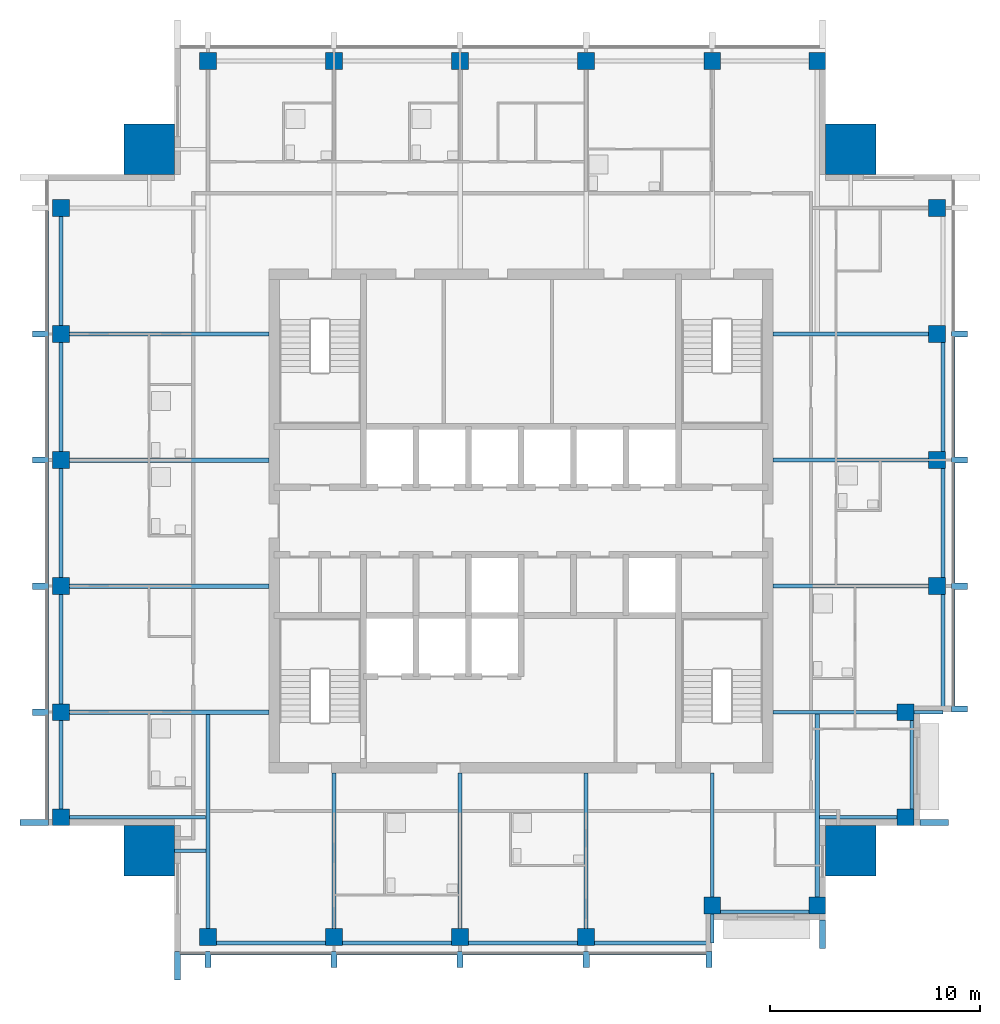
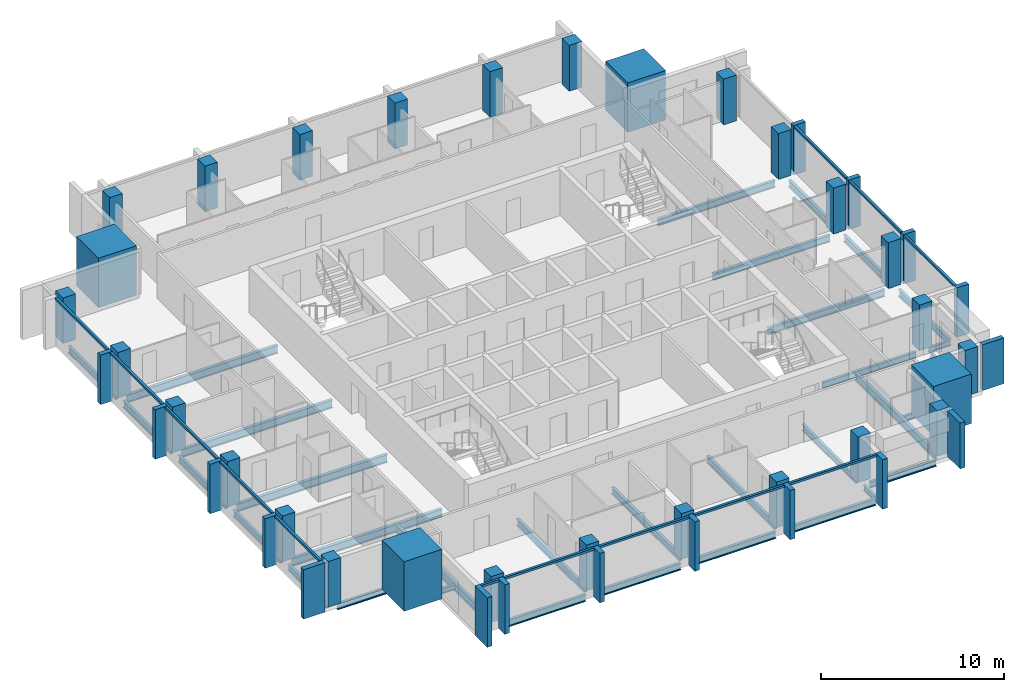
# One storey, part 1 of 9: 33 beams, 30 members, 28 columns, 3 elements without a shape of their own.
"""IFC4 building model written with IfcOpenShell, lengths in metres."""

from ifc_helpers import new_model, si_unit, direction, frame, origin, origin_2d, place, context, subcontext, project, spatial, rectangle, i_section, extrude, material, material_profile, profile_set, type_object, element, aggregate, save


model = new_model("IFC4")

# Units and contexts
model_context = context("Model", 3, precision=1e-05, world=origin(), true_north=direction((0.0, 1.0)))
body_context = subcontext(model_context, "Body", "Model", "MODEL_VIEW")
ifc_project = project(units=[si_unit("LENGTHUNIT", "METRE"), si_unit("AREAUNIT", "SQUARE_METRE"), si_unit("VOLUMEUNIT", "CUBIC_METRE"), si_unit("PLANEANGLEUNIT", "RADIAN"), si_unit("MASSUNIT", "GRAM", prefix="KILO")], contexts=[model_context])

# Site, building, storey
site_placement = place(None, origin())
site = spatial("IfcSite", under=ifc_project, at=site_placement, CompositionType="ELEMENT")
building_placement = place(site_placement, origin())
building = spatial("IfcBuilding", under=site, at=building_placement, Name="Amberfall Residences", CompositionType="ELEMENT")
storey_placement = place(building_placement, frame((0.0, 0.0, 255.39990234375)))
storey = spatial("IfcBuildingStorey", under=building, at=storey_placement, Name="L68", CompositionType="ELEMENT", Elevation=255.39990234375)

# Columns
ifc_material_1 = material(Name="Concrete C50", Category="concrete")
ifc_material_profile_1 = material_profile(ifc_material_1, rectangle(XDim=0.800048828125, YDim=0.800048828125, at=origin_2d()), Name="Column 800 x 800 C50")
ifc_profile_set_1 = profile_set([ifc_material_profile_1], Name="Concrete C50")
column_type_1 = type_object("IfcColumnType", Name="Column 800 x 800 C50", PredefinedType="COLUMN", material=ifc_profile_set_1)
for number, where, z_axis, x_axis, name in (
    (1, (59.60009765625, 25.699951171875, 0.0), (0.0, 0.0, 1.0), (1.0, 0.0, 0.0), "Column C5 L68 S1"),
    (2, (65.60009765625, 25.699951171875, 0.0), (0.0, 0.0, 1.0), (1.0, 0.0, 0.0), "Column C5 L68 S2"),
    (3, (71.60009765625, 25.699951171875, 0.0), (0.0, 0.0, 1.0), (1.0, 0.0, 0.0), "Column C5 L68 S3"),
    (4, (77.60009765625, 25.699951171875, 0.0), (0.0, 0.0, 1.0), (1.0, 0.0, 0.0), "Column C5 L68 S4"),
    (5, (83.60009765625, 27.199951171875, 0.0), (0.0, 0.0, 1.0), (1.0, 0.0, 0.0), "Column C5 L68 S5"),
    (6, (88.60009765625, 27.199951171875, 0.0), (0.0, 0.0, 1.0), (1.0, 0.0, 0.0), "Column C5 L68 S6"),
    (7, (92.800048828125, 31.39990234375, 0.0), (0.0, 0.0, 1.0), (1.0, 0.0, 0.0), "Column C5 L68 E1"),
    (8, (92.800048828125, 36.39990234375, 0.0), (0.0, 0.0, 1.0), (1.0, 0.0, 0.0), "Column C5 L68 E2"),
    (9, (94.300048828125, 42.39990234375, 0.0), (0.0, 0.0, 1.0), (1.0, 0.0, 0.0), "Column C5 L68 E3"),
    (10, (94.300048828125, 48.39990234375, 0.0), (0.0, 0.0, 1.0), (1.0, 0.0, 0.0), "Column C5 L68 E4"),
    (11, (94.300048828125, 54.39990234375, 0.0), (0.0, 0.0, 1.0), (1.0, 0.0, 0.0), "Column C5 L68 E5"),
    (12, (94.300048828125, 60.39990234375, 0.0), (0.0, 0.0, 1.0), (1.0, 0.0, 0.0), "Column C5 L68 E6"),
    (13, (59.60009765625, 67.39990234375, 0.0), (0.0, 0.0, 1.0), (1.0, 0.0, 0.0), "Column C5 L68 N1"),
    (14, (65.60009765625, 67.39990234375, 0.0), (0.0, 0.0, 1.0), (1.0, 0.0, 0.0), "Column C5 L68 N2"),
    (15, (71.60009765625, 67.39990234375, 0.0), (0.0, 0.0, 1.0), (1.0, 0.0, 0.0), "Column C5 L68 N3"),
    (16, (77.60009765625, 67.39990234375, 0.0), (0.0, 0.0, 1.0), (1.0, 0.0, 0.0), "Column C5 L68 N4"),
    (17, (83.60009765625, 67.39990234375, 0.0), (0.0, 0.0, 1.0), (1.0, 0.0, 0.0), "Column C5 L68 N5"),
    (18, (88.60009765625, 67.39990234375, 0.0), (0.0, 0.0, 1.0), (1.0, 0.0, 0.0), "Column C5 L68 N6"),
    (19, (52.60009765625, 31.39990234375, 0.0), (0.0, 0.0, 1.0), (1.0, 0.0, 0.0), "Column C5 L68 W1"),
    (20, (52.60009765625, 36.39990234375, 0.0), (0.0, 0.0, 1.0), (1.0, 0.0, 0.0), "Column C5 L68 W2"),
    (21, (52.60009765625, 42.39990234375, 0.0), (0.0, 0.0, 1.0), (1.0, 0.0, 0.0), "Column C5 L68 W3"),
    (22, (52.60009765625, 48.39990234375, 0.0), (0.0, 0.0, 1.0), (1.0, 0.0, 0.0), "Column C5 L68 W4"),
    (23, (52.60009765625, 54.39990234375, 0.0), (0.0, 0.0, 1.0), (1.0, 0.0, 0.0), "Column C5 L68 W5"),
    (24, (52.60009765625, 60.39990234375, 0.0), (0.0, 0.0, 1.0), (1.0, 0.0, 0.0), "Column C5 L68 W6"),
):
    element("IfcColumn", number, at=place(storey_placement, frame(where, z_axis=z_axis, x_axis=x_axis)), inside=storey, type_object=column_type_1, Name=name, PredefinedType="COLUMN", context=body_context, shape_type="SweptSolid", body=[
        extrude(rectangle(XDim=0.800048828125, YDim=0.800048828125, at=origin_2d()), origin(), (0.0, 0.0, 1.0), 3.050048828125),
    ])
ifc_material_profile_2 = material_profile(ifc_material_1, rectangle(XDim=2.39990234375, YDim=2.39990234375, at=origin_2d()), Name="Mega column 2400 x 2400 C50")
ifc_profile_set_2 = profile_set([ifc_material_profile_2], Name="Concrete C50")
column_type_2 = type_object("IfcColumnType", Name="Mega column 2400 x 2400 C50", PredefinedType="COLUMN", material=ifc_profile_set_2)
for number, where, z_axis, x_axis, name in (
    (25, (56.800048828125, 29.800048828125, 0.0), (0.0, 0.0, 1.0), (1.0, 0.0, 0.0), "Mega column MC11 L68 SW"),
    (26, (90.199951171875, 29.800048828125, 0.0), (0.0, 0.0, 1.0), (1.0, 0.0, 0.0), "Mega column MC11 L68 SE"),
    (27, (90.199951171875, 63.199951171875, 0.0), (0.0, 0.0, 1.0), (1.0, 0.0, 0.0), "Mega column MC11 L68 NE"),
    (28, (56.800048828125, 63.199951171875, 0.0), (0.0, 0.0, 1.0), (1.0, 0.0, 0.0), "Mega column MC11 L68 NW"),
):
    element("IfcColumn", number, at=place(storey_placement, frame(where, z_axis=z_axis, x_axis=x_axis)), inside=storey, type_object=column_type_2, Name=name, PredefinedType="COLUMN", context=body_context, shape_type="SweptSolid", body=[
        extrude(rectangle(XDim=2.39990234375, YDim=2.39990234375, at=origin_2d()), origin(), (0.0, 0.0, 1.0), 3.300048828125),
    ])

# Curtain wall, members
ifc_material_2 = material(Name="Bronze anodised aluminium and glass", Category="aluminium")
curtain_wall_type = type_object("IfcCurtainWallType", Name="Curtain wall CW1 tower unit", PredefinedType="USERDEFINED", material=ifc_material_2)
curtain_wall_1_placement = place(storey_placement, origin())
curtain_wall_1 = element("IfcCurtainWall", 29, at=curtain_wall_1_placement, inside=storey, type_object=curtain_wall_type, Name="Curtain wall L68 S S1", ObjectType="UNITISED CURTAIN WALL", PredefinedType="USERDEFINED")
ifc_material_3 = material(Name="Bronze anodised aluminium", Category="aluminium")
ifc_material_profile_3 = material_profile(ifc_material_3, rectangle(XDim=0.14990234375, YDim=0.14990234375, at=origin_2d()), Name="CW1 transom 150 x 150 bronze")
ifc_profile_set_3 = profile_set([ifc_material_profile_3], Name="Bronze anodised aluminium")
member_type_1 = type_object("IfcMemberType", Name="CW1 transom 150 x 150 bronze", PredefinedType="USERDEFINED", material=ifc_profile_set_3)
member_1_placement = place(storey_placement, frame((58.300048828125, 24.925048828125, 2.97509765625), z_axis=(1.0, 0.0, 0.0), x_axis=(0.0, 1.0, 0.0)))
member_1 = element("IfcMember", 30, at=member_1_placement, type_object=member_type_1, Name="CW1 transom 1.1", ObjectType="TRANSOM", PredefinedType="USERDEFINED", context=body_context, shape_type="SweptSolid", body=[
    extrude(rectangle(XDim=0.14990234375, YDim=0.14990234375, at=origin_2d()), origin(), (0.0, 0.0, 1.0), 1.14990234375),
])
member_2_placement = place(storey_placement, frame((59.75, 24.925048828125, 2.97509765625), z_axis=(1.0, 0.0, 0.0), x_axis=(0.0, 1.0, 0.0)))
member_2 = element("IfcMember", 31, at=member_2_placement, type_object=member_type_1, Name="CW1 transom 2.1", ObjectType="TRANSOM", PredefinedType="USERDEFINED", context=body_context, shape_type="SweptSolid", body=[
    extrude(rectangle(XDim=0.14990234375, YDim=0.14990234375, at=origin_2d()), origin(), (0.0, 0.0, 1.0), 5.699951171875),
])
member_3_placement = place(storey_placement, frame((65.75, 24.925048828125, 2.97509765625), z_axis=(1.0, 0.0, 0.0), x_axis=(0.0, 1.0, 0.0)))
member_3 = element("IfcMember", 32, at=member_3_placement, type_object=member_type_1, Name="CW1 transom 3.1", ObjectType="TRANSOM", PredefinedType="USERDEFINED", context=body_context, shape_type="SweptSolid", body=[
    extrude(rectangle(XDim=0.14990234375, YDim=0.14990234375, at=origin_2d()), origin(), (0.0, 0.0, 1.0), 5.699951171875),
])
member_4_placement = place(storey_placement, frame((71.75, 24.925048828125, 2.97509765625), z_axis=(1.0, 0.0, 0.0), x_axis=(0.0, 1.0, 0.0)))
member_4 = element("IfcMember", 33, at=member_4_placement, type_object=member_type_1, Name="CW1 transom 4.1", ObjectType="TRANSOM", PredefinedType="USERDEFINED", context=body_context, shape_type="SweptSolid", body=[
    extrude(rectangle(XDim=0.14990234375, YDim=0.14990234375, at=origin_2d()), origin(), (0.0, 0.0, 1.0), 5.699951171875),
])
member_5_placement = place(storey_placement, frame((77.75, 24.925048828125, 2.97509765625), z_axis=(1.0, 0.0, 0.0), x_axis=(0.0, 1.0, 0.0)))
member_5 = element("IfcMember", 34, at=member_5_placement, type_object=member_type_1, Name="CW1 transom 5.1", ObjectType="TRANSOM", PredefinedType="USERDEFINED", context=body_context, shape_type="SweptSolid", body=[
    extrude(rectangle(XDim=0.14990234375, YDim=0.14990234375, at=origin_2d()), origin(), (0.0, 0.0, 1.0), 5.550048828125),
])

curtain_wall_2_placement = place(storey_placement, origin())
curtain_wall_2 = element("IfcCurtainWall", 35, at=curtain_wall_2_placement, inside=storey, type_object=curtain_wall_type, Name="Curtain wall L68 E E3", ObjectType="UNITISED CURTAIN WALL", PredefinedType="USERDEFINED")
member_6_placement = place(storey_placement, frame((95.074951171875, 36.699951171875, 2.97509765625), z_axis=(0.0, 1.0, 0.0), x_axis=(-1.0, 0.0, 0.0)))
member_6 = element("IfcMember", 36, at=member_6_placement, type_object=member_type_1, Name="CW1 transom 1.1", ObjectType="TRANSOM", PredefinedType="USERDEFINED", context=body_context, shape_type="SweptSolid", body=[
    extrude(rectangle(XDim=0.14990234375, YDim=0.14990234375, at=origin_2d()), origin(), (0.0, 0.0, 1.0), 5.550048828125),
])
member_7_placement = place(storey_placement, frame((95.074951171875, 42.550048828125, 2.97509765625), z_axis=(0.0, 1.0, 0.0), x_axis=(-1.0, 0.0, 0.0)))
member_7 = element("IfcMember", 37, at=member_7_placement, type_object=member_type_1, Name="CW1 transom 2.1", ObjectType="TRANSOM", PredefinedType="USERDEFINED", context=body_context, shape_type="SweptSolid", body=[
    extrude(rectangle(XDim=0.14990234375, YDim=0.14990234375, at=origin_2d()), origin(), (0.0, 0.0, 1.0), 5.699951171875),
])
member_8_placement = place(storey_placement, frame((95.074951171875, 48.550048828125, 2.97509765625), z_axis=(0.0, 1.0, 0.0), x_axis=(-1.0, 0.0, 0.0)))
member_8 = element("IfcMember", 38, at=member_8_placement, type_object=member_type_1, Name="CW1 transom 3.1", ObjectType="TRANSOM", PredefinedType="USERDEFINED", context=body_context, shape_type="SweptSolid", body=[
    extrude(rectangle(XDim=0.14990234375, YDim=0.14990234375, at=origin_2d()), origin(), (0.0, 0.0, 1.0), 5.699951171875),
])

curtain_wall_3_placement = place(storey_placement, origin())
curtain_wall_3 = element("IfcCurtainWall", 39, at=curtain_wall_3_placement, inside=storey, type_object=curtain_wall_type, Name="Curtain wall L68 W W1", ObjectType="UNITISED CURTAIN WALL", PredefinedType="USERDEFINED")
member_9_placement = place(storey_placement, frame((51.925048828125, 60.25, 2.97509765625), z_axis=(0.0, -1.0, 0.0), x_axis=(1.0, 0.0, 0.0)))
member_9 = element("IfcMember", 40, at=member_9_placement, type_object=member_type_1, Name="CW1 transom 2.1", ObjectType="TRANSOM", PredefinedType="USERDEFINED", context=body_context, shape_type="SweptSolid", body=[
    extrude(rectangle(XDim=0.14990234375, YDim=0.14990234375, at=origin_2d()), origin(), (0.0, 0.0, 1.0), 5.699951171875),
])
member_10_placement = place(storey_placement, frame((51.925048828125, 54.25, 2.97509765625), z_axis=(0.0, -1.0, 0.0), x_axis=(1.0, 0.0, 0.0)))
member_10 = element("IfcMember", 41, at=member_10_placement, type_object=member_type_1, Name="CW1 transom 3.1", ObjectType="TRANSOM", PredefinedType="USERDEFINED", context=body_context, shape_type="SweptSolid", body=[
    extrude(rectangle(XDim=0.14990234375, YDim=0.14990234375, at=origin_2d()), origin(), (0.0, 0.0, 1.0), 5.699951171875),
])
member_11_placement = place(storey_placement, frame((51.925048828125, 48.25, 2.97509765625), z_axis=(0.0, -1.0, 0.0), x_axis=(1.0, 0.0, 0.0)))
member_11 = element("IfcMember", 42, at=member_11_placement, type_object=member_type_1, Name="CW1 transom 4.1", ObjectType="TRANSOM", PredefinedType="USERDEFINED", context=body_context, shape_type="SweptSolid", body=[
    extrude(rectangle(XDim=0.14990234375, YDim=0.14990234375, at=origin_2d()), origin(), (0.0, 0.0, 1.0), 5.699951171875),
])
member_12_placement = place(storey_placement, frame((51.925048828125, 42.25, 2.97509765625), z_axis=(0.0, -1.0, 0.0), x_axis=(1.0, 0.0, 0.0)))
member_12 = element("IfcMember", 43, at=member_12_placement, type_object=member_type_1, Name="CW1 transom 5.1", ObjectType="TRANSOM", PredefinedType="USERDEFINED", context=body_context, shape_type="SweptSolid", body=[
    extrude(rectangle(XDim=0.14990234375, YDim=0.14990234375, at=origin_2d()), origin(), (0.0, 0.0, 1.0), 5.699951171875),
])
member_13_placement = place(storey_placement, frame((51.925048828125, 36.25, 2.97509765625), z_axis=(0.0, -1.0, 0.0), x_axis=(1.0, 0.0, 0.0)))
member_13 = element("IfcMember", 44, at=member_13_placement, type_object=member_type_1, Name="CW1 transom 6.1", ObjectType="TRANSOM", PredefinedType="USERDEFINED", context=body_context, shape_type="SweptSolid", body=[
    extrude(rectangle(XDim=0.14990234375, YDim=0.14990234375, at=origin_2d()), origin(), (0.0, 0.0, 1.0), 4.949951171875),
])

# Beams
ifc_material_4 = material(Name="Steel S355", Category="steel")
ifc_material_profile_4 = material_profile(ifc_material_4, i_section(OverallWidth=0.171142578125, OverallDepth=0.351318359375, WebThickness=0.007080078125, FlangeThickness=0.009765625, FilletRadius=0.01025390625, at=origin_2d()), Name="UB 356x171x45")
ifc_profile_set_4 = profile_set([ifc_material_profile_4], Name="Steel S355")
beam_type_1 = type_object("IfcBeamType", Name="Cantilever girder UB 356x171x45", PredefinedType="BEAM", material=ifc_profile_set_4)
for number, where, z_axis, x_axis, name in (
    (45, (83.60009765625, 26.800048828125, -0.425537109375), (0.0, -1.0, 0.0), (1.0, 0.0, 0.0), "Cantilever girder B8 L68 06"),
    (46, (93.199951171875, 36.39990234375, -0.425537109375), (1.0, 0.0, 0.0), (0.0, 1.0, 0.0), "Cantilever girder B8 L68 18"),
):
    element("IfcBeam", number, at=place(storey_placement, frame(where, z_axis=z_axis, x_axis=x_axis)), inside=storey, type_object=beam_type_1, Name=name, PredefinedType="BEAM", context=body_context, shape_type="SweptSolid", body=[
        extrude(i_section(OverallWidth=0.171142578125, OverallDepth=0.351318359375, WebThickness=0.007080078125, FlangeThickness=0.009765625, FilletRadius=0.01025390625, at=origin_2d()), origin(), (0.0, 0.0, 1.0), 1.400146484375),
    ])

# Member
ifc_material_profile_5 = material_profile(ifc_material_3, rectangle(XDim=1.35009765625, YDim=0.300048828125, at=origin_2d()), Name="Corner fin 300 x 1350 bronze")
ifc_profile_set_5 = profile_set([ifc_material_profile_5], Name="Bronze anodised aluminium")
member_type_2 = type_object("IfcMemberType", Name="Corner fin 300 x 1350 bronze", PredefinedType="MULLION", material=ifc_profile_set_5)
member_14_placement = place(storey_placement, frame((58.14990234375, 24.324951171875, -0.25), z_axis=(0.0, 0.0, 1.0), x_axis=(0.0, 1.0, 0.0)))
member_14 = element("IfcMember", 47, at=member_14_placement, type_object=member_type_2, Name="CW FIN 1", PredefinedType="MULLION", context=body_context, shape_type="SweptSolid", body=[
    extrude(rectangle(XDim=1.35009765625, YDim=0.300048828125, at=origin_2d()), origin(), (0.0, 0.0, 1.0), 3.300048828125),
])

member_15_placement = place(storey_placement, frame((51.324951171875, 31.14990234375, -0.25), z_axis=(0.0, 0.0, 1.0), x_axis=(1.0, 0.0, 0.0)))
member_15 = element("IfcMember", 48, at=member_15_placement, type_object=member_type_2, Name="CW FIN 7", PredefinedType="MULLION", context=body_context, shape_type="SweptSolid", body=[
    extrude(rectangle(XDim=1.35009765625, YDim=0.300048828125, at=origin_2d()), origin(), (0.0, 0.0, 1.0), 3.300048828125),
])

# Beams
ifc_material_profile_6 = material_profile(ifc_material_4, i_section(OverallWidth=0.177734375, OverallDepth=0.402587890625, WebThickness=0.0078125, FlangeThickness=0.010986328125, FilletRadius=0.01025390625, at=origin_2d()), Name="UB 406x178x54")
ifc_profile_set_6 = profile_set([ifc_material_profile_6], Name="Steel S355")
beam_type_2 = type_object("IfcBeamType", Name="Edge beam UB 406x178x54", PredefinedType="SPANDREL", material=ifc_profile_set_6)
for number, where, z_axis, x_axis, name in (
    (49, (84.0, 26.89990234375, -0.451171875), (1.0, 0.0, 0.0), (0.0, 1.0, 0.0), "Edge beam B14 L68 05"),
    (50, (93.10009765625, 31.800048828125, -0.451171875), (0.0, 1.0, 0.0), (-1.0, 0.0, 0.0), "Edge beam B14 L68 13"),
    (51, (52.60009765625, 31.800048828125, -0.451171875), (0.0, 1.0, 0.0), (-1.0, 0.0, 0.0), "Edge beam B14 L68 36"),
):
    element("IfcBeam", number, at=place(storey_placement, frame(where, z_axis=z_axis, x_axis=x_axis)), inside=storey, type_object=beam_type_2, Name=name, PredefinedType="SPANDREL", context=body_context, shape_type="SweptSolid", body=[
        extrude(i_section(OverallWidth=0.177734375, OverallDepth=0.402587890625, WebThickness=0.0078125, FlangeThickness=0.010986328125, FilletRadius=0.01025390625, at=origin_2d()), origin(), (0.0, 0.0, 1.0), 4.199951171875),
    ])
ifc_material_profile_7 = material_profile(ifc_material_4, i_section(OverallWidth=0.18994140625, OverallDepth=0.453369140625, WebThickness=0.008544921875, FlangeThickness=0.0126953125, FilletRadius=0.01025390625, at=origin_2d()), Name="UB 457x191x67")
ifc_profile_set_7 = profile_set([ifc_material_profile_7], Name="Steel S355")
beam_type_3 = type_object("IfcBeamType", Name="Edge beam UB 457x191x67", PredefinedType="SPANDREL", material=ifc_profile_set_7)
for number, where, z_axis, x_axis, name in (
    (52, (60.0, 25.39990234375, -0.4765625), (1.0, 0.0, 0.0), (0.0, 1.0, 0.0), "Edge beam B1 L68 01"),
    (53, (66.0, 25.39990234375, -0.4765625), (1.0, 0.0, 0.0), (0.0, 1.0, 0.0), "Edge beam B1 L68 02"),
    (54, (72.0, 25.39990234375, -0.4765625), (1.0, 0.0, 0.0), (0.0, 1.0, 0.0), "Edge beam B1 L68 03"),
):
    element("IfcBeam", number, at=place(storey_placement, frame(where, z_axis=z_axis, x_axis=x_axis)), inside=storey, type_object=beam_type_3, Name=name, PredefinedType="SPANDREL", context=body_context, shape_type="SweptSolid", body=[
        extrude(i_section(OverallWidth=0.18994140625, OverallDepth=0.453369140625, WebThickness=0.008544921875, FlangeThickness=0.0126953125, FilletRadius=0.01025390625, at=origin_2d()), origin(), (0.0, 0.0, 1.0), 5.199951171875),
    ])
for number, where, z_axis, x_axis, name in (
    (55, (78.0, 25.39990234375, -0.4765625), (1.0, 0.0, 0.0), (0.0, 1.0, 0.0), "Edge beam B1 L68 04"),
    (56, (94.60009765625, 36.47998046875, -0.4765625), (0.0, 1.0, 0.0), (-1.0, 0.0, 0.0), "Edge beam B1 L68 14"),
):
    element("IfcBeam", number, at=place(storey_placement, frame(where, z_axis=z_axis, x_axis=x_axis)), inside=storey, type_object=beam_type_3, Name=name, PredefinedType="SPANDREL", context=body_context, shape_type="SweptSolid", body=[
        extrude(i_section(OverallWidth=0.18994140625, OverallDepth=0.453369140625, WebThickness=0.008544921875, FlangeThickness=0.0126953125, FilletRadius=0.01025390625, at=origin_2d()), origin(), (0.0, 0.0, 1.0), 5.52001953125),
    ])
for number, where, z_axis, x_axis, name in (
    (57, (94.60009765625, 42.800048828125, -0.4765625), (0.0, 1.0, 0.0), (-1.0, 0.0, 0.0), "Edge beam B1 L68 15"),
    (58, (94.60009765625, 48.800048828125, -0.4765625), (0.0, 1.0, 0.0), (-1.0, 0.0, 0.0), "Edge beam B1 L68 16"),
    (59, (52.60009765625, 36.800048828125, -0.4765625), (0.0, 1.0, 0.0), (-1.0, 0.0, 0.0), "Edge beam B1 L68 37"),
    (60, (52.60009765625, 42.800048828125, -0.4765625), (0.0, 1.0, 0.0), (-1.0, 0.0, 0.0), "Edge beam B1 L68 38"),
    (61, (52.60009765625, 48.800048828125, -0.4765625), (0.0, 1.0, 0.0), (-1.0, 0.0, 0.0), "Edge beam B1 L68 39"),
    (62, (52.60009765625, 54.800048828125, -0.4765625), (0.0, 1.0, 0.0), (-1.0, 0.0, 0.0), "Edge beam B1 L68 40"),
):
    element("IfcBeam", number, at=place(storey_placement, frame(where, z_axis=z_axis, x_axis=x_axis)), inside=storey, type_object=beam_type_3, Name=name, PredefinedType="SPANDREL", context=body_context, shape_type="SweptSolid", body=[
        extrude(i_section(OverallWidth=0.18994140625, OverallDepth=0.453369140625, WebThickness=0.008544921875, FlangeThickness=0.0126953125, FilletRadius=0.01025390625, at=origin_2d()), origin(), (0.0, 0.0, 1.0), 5.199951171875),
    ])

# Member
ifc_material_profile_8 = material_profile(ifc_material_3, rectangle(XDim=0.75, YDim=0.300048828125, at=origin_2d()), Name="Fin 300 x 750 bronze")
ifc_profile_set_8 = profile_set([ifc_material_profile_8], Name="Bronze anodised aluminium")
member_type_3 = type_object("IfcMemberType", Name="Fin 300 x 750 bronze", PredefinedType="MULLION", material=ifc_profile_set_8)
member_16_placement = place(storey_placement, frame((59.60009765625, 24.625, -0.25), z_axis=(0.0, 0.0, 1.0), x_axis=(0.0, 1.0, 0.0)))
member_16 = element("IfcMember", 63, at=member_16_placement, type_object=member_type_3, Name="CW FIN 2", PredefinedType="MULLION", context=body_context, shape_type="SweptSolid", body=[
    extrude(rectangle(XDim=0.75, YDim=0.300048828125, at=origin_2d()), origin(), (0.0, 0.0, 1.0), 3.300048828125),
])

member_17_placement = place(storey_placement, frame((65.60009765625, 24.625, -0.25), z_axis=(0.0, 0.0, 1.0), x_axis=(0.0, 1.0, 0.0)))
member_17 = element("IfcMember", 64, at=member_17_placement, type_object=member_type_3, Name="CW FIN 3", PredefinedType="MULLION", context=body_context, shape_type="SweptSolid", body=[
    extrude(rectangle(XDim=0.75, YDim=0.300048828125, at=origin_2d()), origin(), (0.0, 0.0, 1.0), 3.300048828125),
])

member_18_placement = place(storey_placement, frame((71.60009765625, 24.625, -0.25), z_axis=(0.0, 0.0, 1.0), x_axis=(0.0, 1.0, 0.0)))
member_18 = element("IfcMember", 65, at=member_18_placement, type_object=member_type_3, Name="CW FIN 4", PredefinedType="MULLION", context=body_context, shape_type="SweptSolid", body=[
    extrude(rectangle(XDim=0.75, YDim=0.300048828125, at=origin_2d()), origin(), (0.0, 0.0, 1.0), 3.300048828125),
])

member_19_placement = place(storey_placement, frame((77.60009765625, 24.625, -0.25), z_axis=(0.0, 0.0, 1.0), x_axis=(0.0, 1.0, 0.0)))
member_19 = element("IfcMember", 66, at=member_19_placement, type_object=member_type_3, Name="CW FIN 5", PredefinedType="MULLION", context=body_context, shape_type="SweptSolid", body=[
    extrude(rectangle(XDim=0.75, YDim=0.300048828125, at=origin_2d()), origin(), (0.0, 0.0, 1.0), 3.300048828125),
])

member_20_placement = place(storey_placement, frame((83.449951171875, 24.625, -0.25), z_axis=(0.0, 0.0, 1.0), x_axis=(0.0, 1.0, 0.0)))
member_20 = element("IfcMember", 67, at=member_20_placement, type_object=member_type_3, Name="CW FIN 6", PredefinedType="MULLION", context=body_context, shape_type="SweptSolid", body=[
    extrude(rectangle(XDim=0.75, YDim=0.300048828125, at=origin_2d()), origin(), (0.0, 0.0, 1.0), 3.300048828125),
])

aggregate(curtain_wall_1, [member_14, member_16, member_17, member_18, member_19, member_20, member_1, member_2, member_3, member_4, member_5])

member_21_placement = place(storey_placement, frame((95.375, 36.550048828125, -0.25), z_axis=(0.0, 0.0, 1.0), x_axis=(-1.0, 0.0, 0.0)))
member_21 = element("IfcMember", 68, at=member_21_placement, type_object=member_type_3, Name="CW FIN 1", PredefinedType="MULLION", context=body_context, shape_type="SweptSolid", body=[
    extrude(rectangle(XDim=0.75, YDim=0.300048828125, at=origin_2d()), origin(), (0.0, 0.0, 1.0), 3.300048828125),
])

member_22_placement = place(storey_placement, frame((95.375, 42.39990234375, -0.25), z_axis=(0.0, 0.0, 1.0), x_axis=(-1.0, 0.0, 0.0)))
member_22 = element("IfcMember", 69, at=member_22_placement, type_object=member_type_3, Name="CW FIN 2", PredefinedType="MULLION", context=body_context, shape_type="SweptSolid", body=[
    extrude(rectangle(XDim=0.75, YDim=0.300048828125, at=origin_2d()), origin(), (0.0, 0.0, 1.0), 3.300048828125),
])

member_23_placement = place(storey_placement, frame((95.375, 48.39990234375, -0.25), z_axis=(0.0, 0.0, 1.0), x_axis=(-1.0, 0.0, 0.0)))
member_23 = element("IfcMember", 70, at=member_23_placement, type_object=member_type_3, Name="CW FIN 3", PredefinedType="MULLION", context=body_context, shape_type="SweptSolid", body=[
    extrude(rectangle(XDim=0.75, YDim=0.300048828125, at=origin_2d()), origin(), (0.0, 0.0, 1.0), 3.300048828125),
])

member_24_placement = place(storey_placement, frame((95.375, 54.39990234375, -0.25), z_axis=(0.0, 0.0, 1.0), x_axis=(-1.0, 0.0, 0.0)))
member_24 = element("IfcMember", 71, at=member_24_placement, type_object=member_type_3, Name="CW FIN 4", PredefinedType="MULLION", context=body_context, shape_type="SweptSolid", body=[
    extrude(rectangle(XDim=0.75, YDim=0.300048828125, at=origin_2d()), origin(), (0.0, 0.0, 1.0), 3.300048828125),
])

aggregate(curtain_wall_2, [member_21, member_22, member_23, member_24, member_6, member_7, member_8])

member_25_placement = place(storey_placement, frame((51.625, 54.39990234375, -0.25), z_axis=(0.0, 0.0, 1.0), x_axis=(1.0, 0.0, 0.0)))
member_25 = element("IfcMember", 72, at=member_25_placement, type_object=member_type_3, Name="CW FIN 3", PredefinedType="MULLION", context=body_context, shape_type="SweptSolid", body=[
    extrude(rectangle(XDim=0.75, YDim=0.300048828125, at=origin_2d()), origin(), (0.0, 0.0, 1.0), 3.300048828125),
])

member_26_placement = place(storey_placement, frame((51.625, 48.39990234375, -0.25), z_axis=(0.0, 0.0, 1.0), x_axis=(1.0, 0.0, 0.0)))
member_26 = element("IfcMember", 73, at=member_26_placement, type_object=member_type_3, Name="CW FIN 4", PredefinedType="MULLION", context=body_context, shape_type="SweptSolid", body=[
    extrude(rectangle(XDim=0.75, YDim=0.300048828125, at=origin_2d()), origin(), (0.0, 0.0, 1.0), 3.300048828125),
])

member_27_placement = place(storey_placement, frame((51.625, 42.39990234375, -0.25), z_axis=(0.0, 0.0, 1.0), x_axis=(1.0, 0.0, 0.0)))
member_27 = element("IfcMember", 74, at=member_27_placement, type_object=member_type_3, Name="CW FIN 5", PredefinedType="MULLION", context=body_context, shape_type="SweptSolid", body=[
    extrude(rectangle(XDim=0.75, YDim=0.300048828125, at=origin_2d()), origin(), (0.0, 0.0, 1.0), 3.300048828125),
])

member_28_placement = place(storey_placement, frame((51.625, 36.39990234375, -0.25), z_axis=(0.0, 0.0, 1.0), x_axis=(1.0, 0.0, 0.0)))
member_28 = element("IfcMember", 75, at=member_28_placement, type_object=member_type_3, Name="CW FIN 6", PredefinedType="MULLION", context=body_context, shape_type="SweptSolid", body=[
    extrude(rectangle(XDim=0.75, YDim=0.300048828125, at=origin_2d()), origin(), (0.0, 0.0, 1.0), 3.300048828125),
])

aggregate(curtain_wall_3, [member_25, member_26, member_27, member_28, member_15, member_9, member_10, member_11, member_12, member_13])

# Beams
ifc_material_profile_9 = material_profile(ifc_material_4, i_section(OverallWidth=0.171142578125, OverallDepth=0.351318359375, WebThickness=0.007080078125, FlangeThickness=0.009765625, FilletRadius=0.01025390625, at=origin_2d()), Name="UB 356x171x45")
ifc_profile_set_9 = profile_set([ifc_material_profile_9], Name="Steel S355")
beam_type_4 = type_object("IfcBeamType", Name="Floor girder UB 356x171x45", PredefinedType="BEAM", material=ifc_profile_set_9)
beam_1_placement = place(storey_placement, frame((92.39990234375, 31.39990234375, -0.425537109375), z_axis=(-1.0, 0.0, 0.0), x_axis=(0.0, -1.0, 0.0)))
element("IfcBeam", 76, at=beam_1_placement, inside=storey, type_object=beam_type_4, Name="Floor girder B11 L68 19", PredefinedType="BEAM", context=body_context, shape_type="SweptSolid", body=[
    extrude(i_section(OverallWidth=0.171142578125, OverallDepth=0.351318359375, WebThickness=0.007080078125, FlangeThickness=0.009765625, FilletRadius=0.01025390625, at=origin_2d()), origin(), (0.0, 0.0, 1.0), 3.679931640625),
])
ifc_material_profile_10 = material_profile(ifc_material_4, i_section(OverallWidth=0.177734375, OverallDepth=0.402587890625, WebThickness=0.0078125, FlangeThickness=0.010986328125, FilletRadius=0.01025390625, at=origin_2d()), Name="UB 406x178x54")
ifc_profile_set_10 = profile_set([ifc_material_profile_10], Name="Steel S355")
beam_type_5 = type_object("IfcBeamType", Name="Floor girder UB 406x178x54", PredefinedType="BEAM", material=ifc_profile_set_10)
for number, where, z_axis, x_axis, name in (
    (77, (83.60009765625, 27.60009765625, -0.451171875), (0.0, 1.0, 0.0), (-1.0, 0.0, 0.0), "Floor girder B4 L68 11"),
    (78, (92.39990234375, 36.39990234375, -0.451171875), (-1.0, 0.0, 0.0), (0.0, -1.0, 0.0), "Floor girder B4 L68 20"),
):
    element("IfcBeam", number, at=place(storey_placement, frame(where, z_axis=z_axis, x_axis=x_axis)), inside=storey, type_object=beam_type_5, Name=name, PredefinedType="BEAM", context=body_context, shape_type="SweptSolid", body=[
        extrude(i_section(OverallWidth=0.177734375, OverallDepth=0.402587890625, WebThickness=0.0078125, FlangeThickness=0.010986328125, FilletRadius=0.01025390625, at=origin_2d()), origin(), (0.0, 0.0, 1.0), 5.89990234375),
    ])
beam_2_placement = place(storey_placement, frame((53.0, 31.39990234375, -0.451171875), z_axis=(1.0, 0.0, 0.0), x_axis=(0.0, 1.0, 0.0)))
element("IfcBeam", 79, at=beam_2_placement, inside=storey, type_object=beam_type_5, Name="Floor girder B4 L68 41", PredefinedType="BEAM", context=body_context, shape_type="SweptSolid", body=[
    extrude(i_section(OverallWidth=0.177734375, OverallDepth=0.402587890625, WebThickness=0.0078125, FlangeThickness=0.010986328125, FilletRadius=0.01025390625, at=origin_2d()), origin(), (0.0, 0.0, 1.0), 6.47998046875),
])
ifc_material_profile_11 = material_profile(ifc_material_4, i_section(OverallWidth=0.19140625, OverallDepth=0.4599609375, WebThickness=0.010009765625, FlangeThickness=0.01611328125, FilletRadius=0.01025390625, at=origin_2d()), Name="UB 457x191x82")
ifc_profile_set_11 = profile_set([ifc_material_profile_11], Name="Steel S355")
beam_type_6 = type_object("IfcBeamType", Name="Floor girder UB 457x191x82", PredefinedType="BEAM", material=ifc_profile_set_11)
for number, where, z_axis, x_axis, name in (
    (80, (65.60009765625, 26.10009765625, -0.47998046875), (0.0, 1.0, 0.0), (-1.0, 0.0, 0.0), "Floor girder B10 L68 08"),
    (81, (71.60009765625, 26.10009765625, -0.47998046875), (0.0, 1.0, 0.0), (-1.0, 0.0, 0.0), "Floor girder B10 L68 09"),
    (82, (77.60009765625, 26.10009765625, -0.47998046875), (0.0, 1.0, 0.0), (-1.0, 0.0, 0.0), "Floor girder B10 L68 10"),
    (83, (93.89990234375, 42.39990234375, -0.47998046875), (-1.0, 0.0, 0.0), (0.0, -1.0, 0.0), "Floor girder B10 L68 21"),
    (84, (93.89990234375, 48.39990234375, -0.47998046875), (-1.0, 0.0, 0.0), (0.0, -1.0, 0.0), "Floor girder B10 L68 22"),
    (85, (93.89990234375, 54.39990234375, -0.47998046875), (-1.0, 0.0, 0.0), (0.0, -1.0, 0.0), "Floor girder B10 L68 23"),
):
    element("IfcBeam", number, at=place(storey_placement, frame(where, z_axis=z_axis, x_axis=x_axis)), inside=storey, type_object=beam_type_6, Name=name, PredefinedType="BEAM", context=body_context, shape_type="SweptSolid", body=[
        extrude(i_section(OverallWidth=0.19140625, OverallDepth=0.4599609375, WebThickness=0.010009765625, FlangeThickness=0.01611328125, FilletRadius=0.01025390625, at=origin_2d()), origin(), (0.0, 0.0, 1.0), 7.39990234375),
    ])
ifc_material_profile_12 = material_profile(ifc_material_4, i_section(OverallWidth=0.209228515625, OverallDepth=0.533203125, WebThickness=0.010009765625, FlangeThickness=0.015625, FilletRadius=0.0126953125, at=origin_2d()), Name="UB 533x210x92")
ifc_profile_set_12 = profile_set([ifc_material_profile_12], Name="Steel S355")
beam_type_7 = type_object("IfcBeamType", Name="Floor girder UB 533x210x92", PredefinedType="BEAM", material=ifc_profile_set_12)
beam_3_placement = place(storey_placement, frame((59.60009765625, 26.10009765625, -0.516357421875), z_axis=(0.0, 1.0, 0.0), x_axis=(-1.0, 0.0, 0.0)))
element("IfcBeam", 86, at=beam_3_placement, inside=storey, type_object=beam_type_7, Name="Floor girder B3 L68 07", PredefinedType="BEAM", context=body_context, shape_type="SweptSolid", body=[
    extrude(i_section(OverallWidth=0.209228515625, OverallDepth=0.533203125, WebThickness=0.010009765625, FlangeThickness=0.015625, FilletRadius=0.0126953125, at=origin_2d()), origin(), (0.0, 0.0, 1.0), 10.2001953125),
])
beam_4_placement = place(storey_placement, frame((88.60009765625, 27.60009765625, -0.516357421875), z_axis=(0.0, 1.0, 0.0), x_axis=(-1.0, 0.0, 0.0)))
element("IfcBeam", 87, at=beam_4_placement, inside=storey, type_object=beam_type_7, Name="Floor girder B3 L68 12", PredefinedType="BEAM", context=body_context, shape_type="SweptSolid", body=[
    extrude(i_section(OverallWidth=0.209228515625, OverallDepth=0.533203125, WebThickness=0.010009765625, FlangeThickness=0.015625, FilletRadius=0.0126953125, at=origin_2d()), origin(), (0.0, 0.0, 1.0), 8.716064453125),
])
for number, where, z_axis, x_axis, name in (
    (88, (53.0, 36.39990234375, -0.516357421875), (1.0, 0.0, 0.0), (0.0, 1.0, 0.0), "Floor girder B3 L68 42"),
    (89, (53.0, 42.39990234375, -0.516357421875), (1.0, 0.0, 0.0), (0.0, 1.0, 0.0), "Floor girder B3 L68 43"),
    (90, (53.0, 48.39990234375, -0.516357421875), (1.0, 0.0, 0.0), (0.0, 1.0, 0.0), "Floor girder B3 L68 44"),
    (91, (53.0, 54.39990234375, -0.516357421875), (1.0, 0.0, 0.0), (0.0, 1.0, 0.0), "Floor girder B3 L68 45"),
):
    element("IfcBeam", number, at=place(storey_placement, frame(where, z_axis=z_axis, x_axis=x_axis)), inside=storey, type_object=beam_type_7, Name=name, PredefinedType="BEAM", context=body_context, shape_type="SweptSolid", body=[
        extrude(i_section(OverallWidth=0.209228515625, OverallDepth=0.533203125, WebThickness=0.010009765625, FlangeThickness=0.015625, FilletRadius=0.0126953125, at=origin_2d()), origin(), (0.0, 0.0, 1.0), 9.5),
    ])
ifc_material_profile_13 = material_profile(ifc_material_4, i_section(OverallWidth=0.171142578125, OverallDepth=0.351318359375, WebThickness=0.007080078125, FlangeThickness=0.009765625, FilletRadius=0.01025390625, at=origin_2d()), Name="UB 356x171x45")
ifc_profile_set_13 = profile_set([ifc_material_profile_13], Name="Steel S355")
beam_type_8 = type_object("IfcBeamType", Name="Link beam UB 356x171x45", PredefinedType="BEAM", material=ifc_profile_set_13)
beam_5_placement = place(storey_placement, frame((58.0, 29.800048828125, -0.425537109375), z_axis=(1.0, 0.0, 0.0), x_axis=(0.0, 1.0, 0.0)))
element("IfcBeam", 92, at=beam_5_placement, inside=storey, type_object=beam_type_8, Name="Link beam B7 L68 47", PredefinedType="BEAM", context=body_context, shape_type="SweptSolid", body=[
    extrude(i_section(OverallWidth=0.171142578125, OverallDepth=0.351318359375, WebThickness=0.007080078125, FlangeThickness=0.009765625, FilletRadius=0.01025390625, at=origin_2d()), origin(), (0.0, 0.0, 1.0), 1.50537109375),
])

# Members
ifc_material_profile_14 = material_profile(ifc_material_3, rectangle(XDim=1.35009765625, YDim=0.300048828125, at=origin_2d()), Name="Stone corner fin 300 x 1350 bronze")
ifc_profile_set_14 = profile_set([ifc_material_profile_14], Name="Bronze anodised aluminium")
member_type_4 = type_object("IfcMemberType", Name="Stone corner fin 300 x 1350 bronze", PredefinedType="MEMBER", material=ifc_profile_set_14)
for number, where, z_axis, x_axis, name in (
    (93, (88.85009765625, 25.824951171875, 0.0), (0.0, 0.0, 1.0), (0.0, 1.0, 0.0), "Corner fin S"),
    (94, (94.175048828125, 31.14990234375, 0.0), (0.0, 0.0, 1.0), (-1.0, 0.0, 0.0), "Corner fin E"),
):
    element("IfcMember", number, at=place(storey_placement, frame(where, z_axis=z_axis, x_axis=x_axis)), inside=storey, type_object=member_type_4, Name=name, PredefinedType="MEMBER", context=body_context, shape_type="SweptSolid", body=[
        extrude(rectangle(XDim=1.35009765625, YDim=0.300048828125, at=origin_2d()), origin(), (0.0, 0.0, 1.0), 3.050048828125),
    ])

save(model, "model.ifc")
